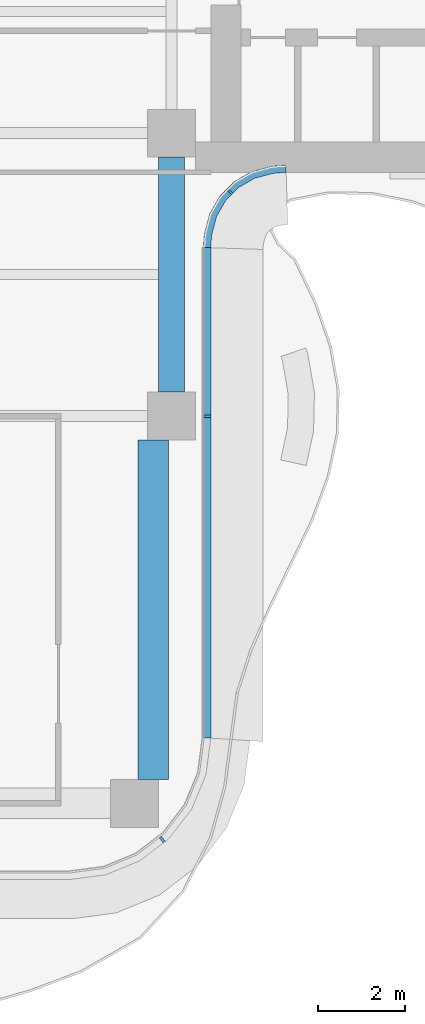
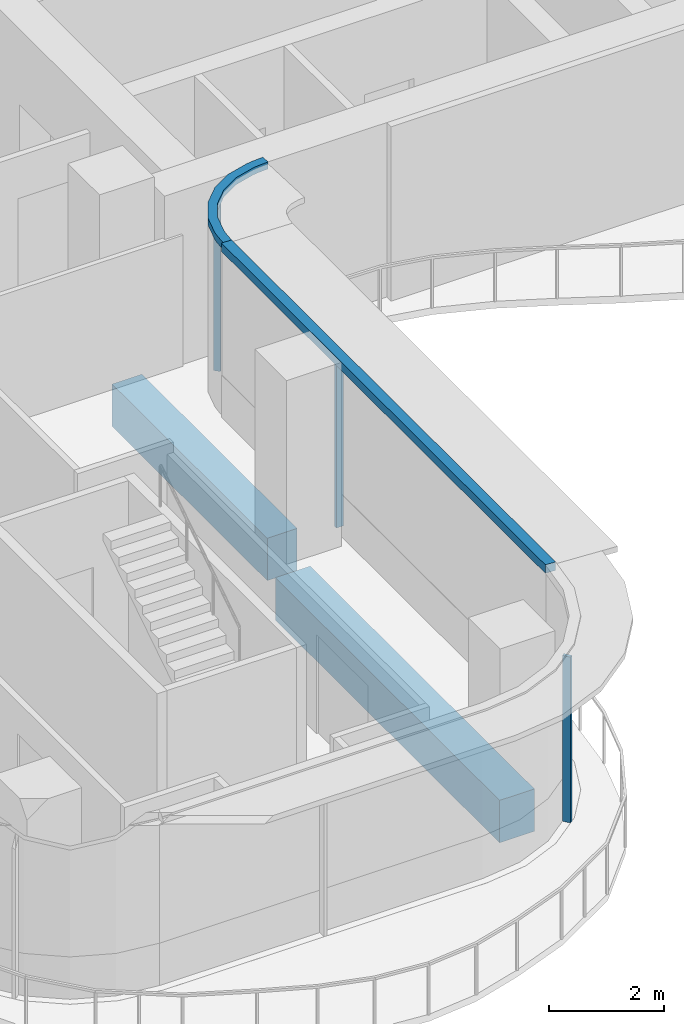
# One storey, part 5 of 16: 5 members, 2 beams, 3 elements without a shape of their own.
"""IFC4 building model written with IfcOpenShell, lengths in metres."""

from ifc_helpers import new_model, si_unit, direction, frame, origin, origin_2d, place, context, subcontext, project, spatial, polyline, rectangle, outline, extrude, source, transform, mapped, material, layer, layer_set, material_profile, profile_set, type_object, element, aggregate, save


model = new_model("IFC4")

# Units and contexts
model_context = context("Model", 3, precision=1e-05, world=origin(), true_north=direction((0.0, 1.0)))
body_context = subcontext(model_context, "Body", "Model", "MODEL_VIEW")
ifc_project = project(units=[si_unit("LENGTHUNIT", "METRE"), si_unit("AREAUNIT", "SQUARE_METRE"), si_unit("VOLUMEUNIT", "CUBIC_METRE"), si_unit("PLANEANGLEUNIT", "RADIAN"), si_unit("MASSUNIT", "GRAM", prefix="KILO")], contexts=[model_context])

# Site, building, storey
site_placement = place(None, origin())
site = spatial("IfcSite", under=ifc_project, at=site_placement, CompositionType="ELEMENT")
building_placement = place(site_placement, origin())
building = spatial("IfcBuilding", under=site, at=building_placement, Name="Trellis Farm Tower", CompositionType="ELEMENT")
storey_placement = place(building_placement, frame((0.0, 0.0, 248.0)))
storey = spatial("IfcBuildingStorey", under=building, at=storey_placement, Name="L55", CompositionType="ELEMENT", Elevation=248.0)

# Beams
ifc_material_1 = material(Name="Concrete C60/75", Category="concrete")
ifc_material_profile_1 = material_profile(ifc_material_1, rectangle(XDim=0.60009765625, YDim=0.89990234375, at=origin_2d()), Name="RC spandrel beam 600x900 C60/75")
ifc_profile_set_1 = profile_set([ifc_material_profile_1], Name="Concrete C60/75")
beam_type_1 = type_object("IfcBeamType", Name="RC spandrel beam 600x900 C60/75", PredefinedType="SPANDREL", material=ifc_profile_set_1)
shared_shape_1 = source(origin(), body_context, "Body", "SweptSolid", [
    extrude(rectangle(XDim=0.60009765625, YDim=0.89990234375, at=origin_2d()), origin(), (0.0, 0.0, 1.0), 5.400146484375),
])
beam_1_placement = place(storey_placement, frame((5.60009765625, -11.550048828125, -0.64990234375), z_axis=(0.0, 1.0, 0.0), x_axis=(-1.0, 0.0, 0.0)))
element("IfcBeam", 1, at=beam_1_placement, inside=storey, type_object=beam_type_1, Name="Girder", PredefinedType="SPANDREL", context=body_context, shape_type="MappedRepresentation", body=[
    mapped(shared_shape_1, transform((0.0, 0.0, 0.0))),
])
ifc_material_profile_2 = material_profile(ifc_material_1, rectangle(XDim=0.699951171875, YDim=0.89990234375, at=origin_2d()), Name="RC spandrel beam 700x900 C60/75")
ifc_profile_set_2 = profile_set([ifc_material_profile_2], Name="Concrete C60/75")
beam_type_2 = type_object("IfcBeamType", Name="RC spandrel beam 700x900 C60/75", PredefinedType="SPANDREL", material=ifc_profile_set_2)
shared_shape_2 = source(origin(), body_context, "Body", "SweptSolid", [
    extrude(rectangle(XDim=0.699951171875, YDim=0.89990234375, at=origin_2d()), origin(), (0.0, 0.0, 1.0), 7.800048828125),
])
beam_2_placement = place(storey_placement, frame((5.175048828125, -20.449951171875, -0.64990234375), z_axis=(0.0, 1.0, 0.0), x_axis=(-1.0, 0.0, 0.0)))
element("IfcBeam", 2, at=beam_2_placement, inside=storey, type_object=beam_type_2, Name="Girder", PredefinedType="SPANDREL", context=body_context, shape_type="MappedRepresentation", body=[
    mapped(shared_shape_2, transform((0.0, 0.0, 0.0))),
])

# Curtain wall, member
ifc_material_2 = material(Name="Aluminium and glass curtain wall", Category="aluminium")
ifc_layer_1 = layer(ifc_material_2, 0.166015625)
ifc_layer_set_1 = layer_set([ifc_layer_1], Name="WINTER GARDEN CURTAIN WALL CW3")
curtain_wall_type_1 = type_object("IfcCurtainWallType", Name="WINTER GARDEN CURTAIN WALL CW3", PredefinedType="NOTDEFINED", material=ifc_layer_set_1)
placement = place(storey_placement, origin())
curtain_wall_1 = element("IfcCurtainWall", 3, at=placement, inside=storey, type_object=curtain_wall_type_1, Name="CW3 002", PredefinedType="NOTDEFINED")
ifc_material_3 = material(Name="Aluminium extrusion 6063-T6", Category="aluminium")
ifc_layer_2 = layer(ifc_material_3, 0.169921875)
ifc_layer_set_2 = layer_set([ifc_layer_2], Name="Aluminium extrusion 6063-T6")
member_type_1 = type_object("IfcMemberType", Name="CW3 TRANSOM 170x150", PredefinedType="USERDEFINED", material=ifc_layer_set_2)
shared_shape_3 = source(origin(), body_context, "Body", "SweptSolid", [
    extrude(outline(polyline([(6.5, -8.2314453125), (6.513916015625, -8.01953125), (6.527587890625, -7.91552734375), (6.63671875, -7.508544921875), (6.846923828125, -7.144287109375), (7.144287109375, -6.846923828125), (7.508544921875, -6.63671875), (7.91552734375, -6.527587890625), (8.01953125, -6.513916015625), (8.2314453125, -6.5), (8.225830078125, -6.330078125), (8.0029296875, -6.3447265625), (7.88232421875, -6.360595703125), (7.44287109375, -6.478271484375), (7.0400390625, -6.7109375), (6.7109375, -7.0400390625), (6.478271484375, -7.44287109375), (6.360595703125, -7.88232421875), (6.3447265625, -8.0029296875), (6.330078125, -8.225830078125), (6.5, -8.2314453125)])), origin(), (0.0, 0.0, 1.0), 0.14990234375),
])
member_1_placement = place(storey_placement, frame((0.0, 0.0, 3.550048828125)))
member_1 = element("IfcMember", 4, at=member_1_placement, type_object=member_type_1, Name="TR3 002", ObjectType="TRANSOM", PredefinedType="USERDEFINED", context=body_context, shape_type="MappedRepresentation", body=[
    mapped(shared_shape_3, transform((0.0, 0.0, 0.0))),
])

ifc_layer_3 = layer(ifc_material_2, 0.18994140625)
ifc_layer_set_3 = layer_set([ifc_layer_3], Name="RIBBON CURTAIN WALL CW1")
curtain_wall_type_2 = type_object("IfcCurtainWallType", Name="RIBBON CURTAIN WALL CW1", PredefinedType="NOTDEFINED", material=ifc_layer_set_3)
curtain_wall_2 = element("IfcCurtainWall", 5, at=placement, inside=storey, type_object=curtain_wall_type_2, Name="CW1 004", PredefinedType="NOTDEFINED")
ifc_material_profile_3 = material_profile(ifc_material_3, rectangle(XDim=0.06005859375, YDim=0.14990234375, at=origin_2d()), Name="MULLION 60x150")
ifc_profile_set_3 = profile_set([ifc_material_profile_3], Name="Aluminium extrusion 6063-T6")
member_type_2 = type_object("IfcMemberType", Name="CW1 MULLION 60x150", PredefinedType="MULLION", material=ifc_profile_set_3)
shared_shape_4 = source(origin(), body_context, "Body", "SweptSolid", [
    extrude(rectangle(XDim=0.06005859375, YDim=0.14990234375, at=origin_2d()), origin(), (0.0, 0.0, 1.0), 3.52001953125),
])
member_2_placement = place(storey_placement, frame((5.385498046875, -21.828369140625, 0.0), z_axis=(0.0, 0.0, 1.0), x_axis=(0.793353340291, 0.608761429009, 0.0)))
member_2 = element("IfcMember", 6, at=member_2_placement, type_object=member_type_2, Name="MU1 004-02", PredefinedType="MULLION", context=body_context, shape_type="MappedRepresentation", body=[
    mapped(shared_shape_4, transform((0.0, 0.0, 0.0))),
])
aggregate(curtain_wall_2, [member_2])

curtain_wall_3 = element("IfcCurtainWall", 7, at=placement, inside=storey, type_object=curtain_wall_type_2, Name="CW1 005", PredefinedType="NOTDEFINED")
member_3_placement = place(storey_placement, frame((6.425048828125, -12.10009765625, 0.0), z_axis=(0.0, 0.0, 1.0), x_axis=(0.0, 1.0, 0.0)))
member_3 = element("IfcMember", 8, at=member_3_placement, type_object=member_type_2, Name="MU1 005-01", PredefinedType="MULLION", context=body_context, shape_type="MappedRepresentation", body=[
    mapped(shared_shape_4, transform((0.0, 0.0, 0.0))),
])

# Member
ifc_material_profile_4 = material_profile(ifc_material_3, rectangle(XDim=0.050048828125, YDim=0.1201171875, at=origin_2d()), Name="MULLION 50x120")
ifc_profile_set_4 = profile_set([ifc_material_profile_4], Name="Aluminium extrusion 6063-T6")
member_type_3 = type_object("IfcMemberType", Name="CW3 MULLION 50x120", PredefinedType="MULLION", material=ifc_profile_set_4)
shared_shape_5 = source(origin(), body_context, "Body", "SweptSolid", [
    extrude(rectangle(XDim=0.050048828125, YDim=0.1201171875, at=origin_2d()), origin(), (0.0, 0.0, 1.0), 3.550048828125),
])
member_4_placement = place(storey_placement, frame((6.953125, -6.953125, 0.0), z_axis=(0.0, 0.0, 1.0), x_axis=(0.707106781187, 0.707106781187, 0.0)))
member_4 = element("IfcMember", 9, at=member_4_placement, type_object=member_type_3, Name="MU3 002-01", PredefinedType="MULLION", context=body_context, shape_type="MappedRepresentation", body=[
    mapped(shared_shape_5, transform((0.0, 0.0, 0.0))),
])

aggregate(curtain_wall_1, [member_4, member_1])

ifc_layer_4 = layer(ifc_material_3, 0.199951171875)
ifc_layer_set_4 = layer_set([ifc_layer_4], Name="Aluminium extrusion 6063-T6")
member_type_4 = type_object("IfcMemberType", Name="CW1 TRANSOM 200x180", PredefinedType="USERDEFINED", material=ifc_layer_set_4)
shared_shape_6 = source(origin(), body_context, "Body", "SweptSolid", [
    extrude(outline(polyline([(6.5, -19.5), (6.5, -8.2314453125), (6.300048828125, -8.224853515625), (6.300048828125, -19.48681640625), (6.5, -19.5)])), origin(), (0.0, 0.0, 1.0), 0.179931640625),
])
member_5_placement = place(storey_placement, frame((0.0, 0.0, 3.52001953125)))
member_5 = element("IfcMember", 10, at=member_5_placement, type_object=member_type_4, Name="TR1 005", ObjectType="TRANSOM", PredefinedType="USERDEFINED", context=body_context, shape_type="MappedRepresentation", body=[
    mapped(shared_shape_6, transform((0.0, 0.0, 0.0))),
])

aggregate(curtain_wall_3, [member_3, member_5])

save(model, "model.ifc")
